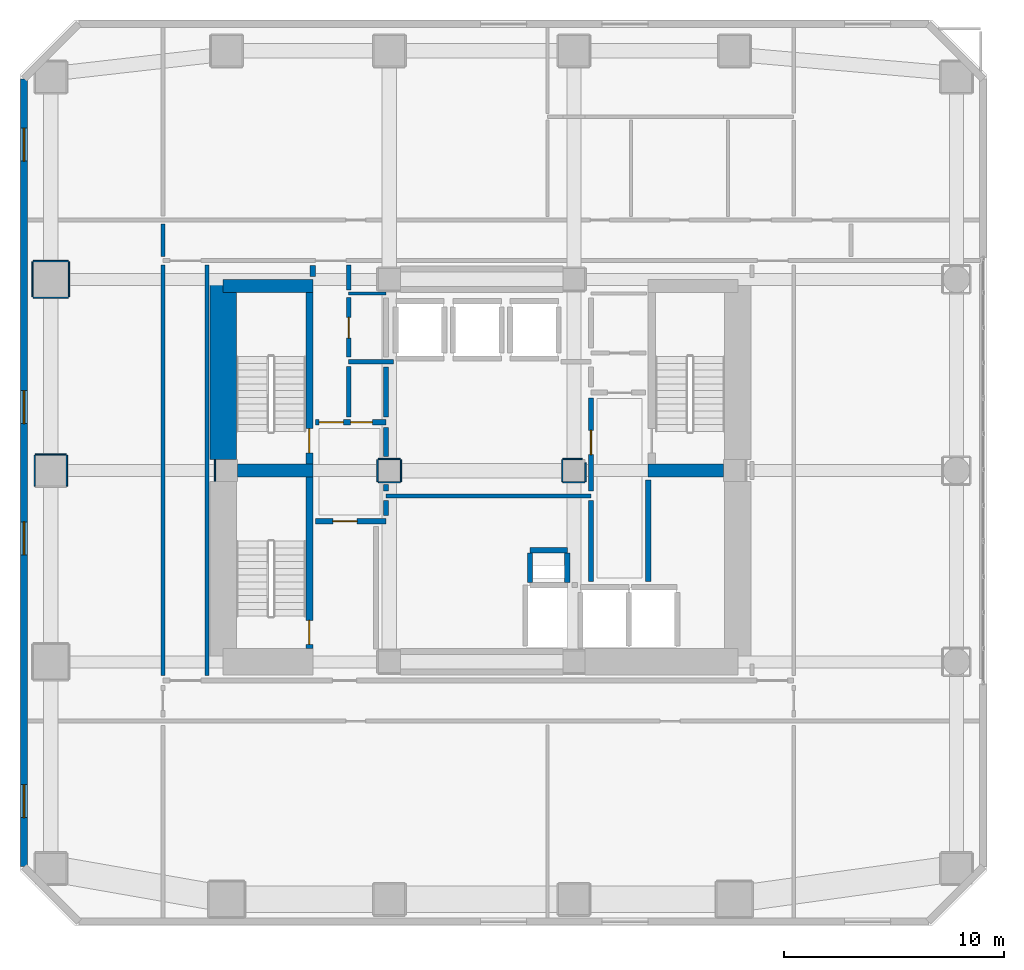
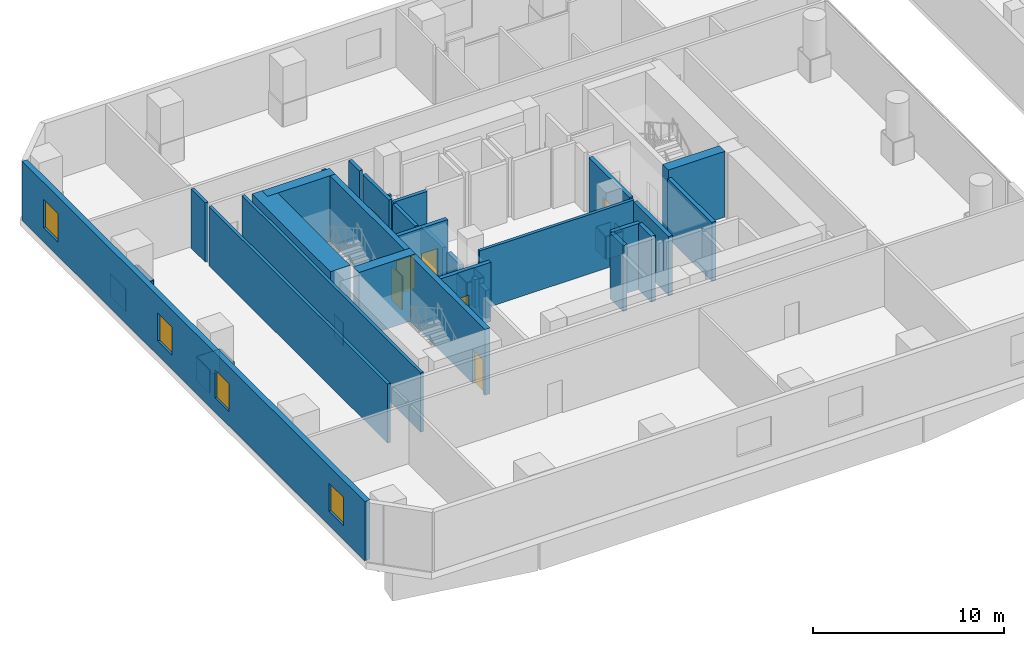
# One storey, part 19 of 25: 45 walls, 7 doors, 4 windows, 11 openings.
"""IFC4 building model written with IfcOpenShell, lengths in metres."""

from ifc_helpers import new_model, si_unit, direction, frame, frame_2d, origin, place, context, subcontext, project, spatial, rectangle, extrude, material, layer, layer_set, type_object, element, fill, save


model = new_model("IFC4")

# Units and contexts
model_context = context("Model", 3, precision=1e-05, world=origin(), true_north=direction((0.0, 1.0)))
body_context = subcontext(model_context, "Body", "Model", "MODEL_VIEW")
ifc_project = project(units=[si_unit("LENGTHUNIT", "METRE"), si_unit("AREAUNIT", "SQUARE_METRE"), si_unit("VOLUMEUNIT", "CUBIC_METRE"), si_unit("PLANEANGLEUNIT", "RADIAN"), si_unit("MASSUNIT", "GRAM", prefix="KILO")], contexts=[model_context])

# Site, building, storey
site_placement = place(None, origin())
site = spatial("IfcSite", under=ifc_project, at=site_placement, CompositionType="ELEMENT")
building_placement = place(site_placement, origin())
building = spatial("IfcBuilding", under=site, at=building_placement, Name="Solanera Arch Residences", CompositionType="ELEMENT")
storey_placement = place(building_placement, frame((0.0, 0.0, 17.800048828125)))
storey = spatial("IfcBuildingStorey", under=building, at=storey_placement, Name="L04", CompositionType="ELEMENT", Elevation=17.800048828125)

# Walls
ifc_material_1 = material(Name="Fire-Rated Gypsum Stud Partition", Category="gypsum")
ifc_layer_1 = layer(ifc_material_1, 0.06005859375)
ifc_layer_set_1 = layer_set([ifc_layer_1], Name="Fire-Rated Gypsum Stud Partition")
wall_type_1 = type_object("IfcWallType", Name="Column Acoustic Furring Wall 60", PredefinedType="PARTITIONING", material=ifc_layer_set_1)
wall_1_placement = place(storey_placement, frame((12.867919921875, 30.2099609375, 0.0), z_axis=(0.0, 0.0, 1.0), x_axis=(0.0, 1.0, 0.0)))
element("IfcWall", 1, at=wall_1_placement, inside=storey, type_object=wall_type_1, Name="L04 Column Furring 5W", PredefinedType="PARTITIONING", context=body_context, shape_type="SweptSolid", body=[
    extrude(rectangle(XDim=0.97998046875, YDim=0.06005859375, at=frame_2d((0.489990234375, 0.0))), origin(), (0.0, 0.0, 1.0), 1.449951171875),
])
for number, where, z_axis, x_axis, name in (
    (2, (20.300048828125, 30.16796875, 0.0), (0.0, 0.0, 1.0), (1.0, 0.0, 0.0), "L04 Column Furring 7S"),
    (3, (20.300048828125, 31.23193359375, 0.0), (0.0, 0.0, 1.0), (1.0, 0.0, 0.0), "L04 Column Furring 7N"),
    (4, (20.26806640625, 30.199951171875, 0.0), (0.0, 0.0, 1.0), (0.0, 1.0, 0.0), "L04 Column Furring 7W"),
    (5, (21.33203125, 30.199951171875, 0.0), (0.0, 0.0, 1.0), (0.0, 1.0, 0.0), "L04 Column Furring 7E"),
    (6, (28.699951171875, 30.16796875, 0.0), (0.0, 0.0, 1.0), (1.0, 0.0, 0.0), "L04 Column Furring 8S"),
):
    element("IfcWall", number, at=place(storey_placement, frame(where, z_axis=z_axis, x_axis=x_axis)), inside=storey, type_object=wall_type_1, Name=name, PredefinedType="PARTITIONING", context=body_context, shape_type="SweptSolid", body=[
        extrude(rectangle(XDim=1.0, YDim=0.06005859375, at=frame_2d((0.5, 0.0))), origin(), (0.0, 0.0, 1.0), 1.449951171875),
    ])
wall_2_placement = place(storey_placement, frame((28.699951171875, 31.23193359375, 0.0), z_axis=(0.0, 0.0, 1.0), x_axis=(1.0, 0.0, 0.0)))
element("IfcWall", 7, at=wall_2_placement, inside=storey, type_object=wall_type_1, Name="L04 Column Furring 8N", PredefinedType="PARTITIONING", context=body_context, shape_type="SweptSolid", body=[
    extrude(rectangle(XDim=0.87109375, YDim=0.06005859375, at=frame_2d((0.435546875, 0.0))), origin(), (0.0, 0.0, 1.0), 1.449951171875),
])
wall_3_placement = place(storey_placement, frame((28.66796875, 30.199951171875, 0.0), z_axis=(0.0, 0.0, 1.0), x_axis=(0.0, 1.0, 0.0)))
element("IfcWall", 8, at=wall_3_placement, inside=storey, type_object=wall_type_1, Name="L04 Column Furring 8W", PredefinedType="PARTITIONING", context=body_context, shape_type="SweptSolid", body=[
    extrude(rectangle(XDim=1.0, YDim=0.06005859375, at=frame_2d((0.5, 0.0))), origin(), (0.0, 0.0, 1.0), 1.449951171875),
])
wall_4_placement = place(storey_placement, frame((29.73193359375, 30.199951171875, 0.0), z_axis=(0.0, 0.0, 1.0), x_axis=(0.0, 1.0, 0.0)))
element("IfcWall", 9, at=wall_4_placement, inside=storey, type_object=wall_type_1, Name="L04 Column Furring 8E", PredefinedType="PARTITIONING", context=body_context, shape_type="SweptSolid", body=[
    extrude(rectangle(XDim=0.85205078125, YDim=0.06005859375, at=frame_2d((0.426025390625, 0.0))), origin(), (0.0, 0.0, 1.0), 1.449951171875),
])
wall_5_placement = place(storey_placement, frame((4.699951171875, 31.431884765625, 0.0), z_axis=(0.0, 0.0, 1.0), x_axis=(1.0, 0.0, 0.0)))
element("IfcWall", 10, at=wall_5_placement, inside=storey, type_object=wall_type_1, Name="L04 Column Furring 16N", PredefinedType="PARTITIONING", context=body_context, shape_type="SweptSolid", body=[
    extrude(rectangle(XDim=1.400146484375, YDim=0.06005859375, at=frame_2d((0.7001953125, 0.0))), origin(), (0.0, 0.0, 1.0), 1.449951171875),
])
for number, where, z_axis, x_axis, name in (
    (11, (4.66796875, 30.0, 0.0), (0.0, 0.0, 1.0), (0.0, 1.0, 0.0), "L04 Column Furring 16W"),
    (12, (6.132080078125, 30.0, 0.0), (0.0, 0.0, 1.0), (0.0, 1.0, 0.0), "L04 Column Furring 16E"),
):
    element("IfcWall", number, at=place(storey_placement, frame(where, z_axis=z_axis, x_axis=x_axis)), inside=storey, type_object=wall_type_1, Name=name, PredefinedType="PARTITIONING", context=body_context, shape_type="SweptSolid", body=[
        extrude(rectangle(XDim=1.39990234375, YDim=0.06005859375, at=frame_2d((0.699951171875, 0.0))), origin(), (0.0, 0.0, 1.0), 1.449951171875),
    ])
for number, where, z_axis, x_axis, name in (
    (13, (4.60009765625, 38.568115234375, 0.0), (0.0, 0.0, 1.0), (1.0, 0.0, 0.0), "L04 Column Furring 17S"),
    (14, (4.60009765625, 40.23193359375, 0.0), (0.0, 0.0, 1.0), (1.0, 0.0, 0.0), "L04 Column Furring 17N"),
    (15, (4.568115234375, 38.60009765625, 0.0), (0.0, 0.0, 1.0), (0.0, 1.0, 0.0), "L04 Column Furring 17W"),
    (16, (6.23193359375, 38.60009765625, 0.0), (0.0, 0.0, 1.0), (0.0, 1.0, 0.0), "L04 Column Furring 17E"),
):
    element("IfcWall", number, at=place(storey_placement, frame(where, z_axis=z_axis, x_axis=x_axis)), inside=storey, type_object=wall_type_1, Name=name, PredefinedType="PARTITIONING", context=body_context, shape_type="SweptSolid", body=[
        extrude(rectangle(XDim=1.599853515625, YDim=0.06005859375, at=frame_2d((0.7998046875, 0.0))), origin(), (0.0, 0.0, 1.0), 1.449951171875),
    ])
ifc_material_2 = material(Name="Concrete C55/67 (f'c = 60 MPa)", Category="concrete")
ifc_layer_2 = layer(ifc_material_2, 1.199951171875)
ifc_layer_set_2 = layer_set([ifc_layer_2], Name="Concrete C55/67 (f'c = 60 MPa)")
wall_type_2 = type_object("IfcWallType", Name="Core Shear Wall CW-1200", PredefinedType="SHEAR", material=ifc_layer_set_2)
wall_6_placement = place(storey_placement, frame((13.239990234375, 31.205078125, 0.0), z_axis=(0.0, 0.0, 1.0), x_axis=(0.0, 1.0, 0.0)))
element("IfcWall", 17, at=wall_6_placement, inside=storey, type_object=wall_type_2, Name="L04 West Core North Shear Wall", PredefinedType="SHEAR", context=body_context, shape_type="SweptSolid", body=[
    extrude(rectangle(XDim=8.19482421875, YDim=1.199951171875, at=frame_2d((4.097412109375, 0.0))), origin(), (0.0, 0.0, 1.0), 4.199951171875),
])

# Wall, opening, door
ifc_material_3 = material(Name="Concrete C40/50 (f'c = 45 MPa)", Category="concrete")
ifc_layer_3 = layer(ifc_material_3, 0.320068359375)
ifc_layer_set_3 = layer_set([ifc_layer_3], Name="Concrete C40/50 (f'c = 45 MPa)")
wall_type_3 = type_object("IfcWallType", Name="Core Shear Wall CW-320", PredefinedType="SHEAR", material=ifc_layer_set_3)
wall_7_placement = place(storey_placement, frame((17.159912109375, 31.0, 0.0), z_axis=(0.0, 0.0, 1.0), x_axis=(0.0, 1.0, 0.0)))
wall_7 = element("IfcWall", 18, at=wall_7_placement, inside=storey, type_object=wall_type_3, Name="L04 Stair ST-T1 East Shear Wall", PredefinedType="SHEAR", context=body_context, shape_type="SweptSolid", body=[
    extrude(rectangle(XDim=7.800048828125, YDim=0.320068359375, at=frame_2d((3.89990234375, 0.0))), origin(), (0.0, 0.0, 1.0), 4.199951171875),
])
opening_1_placement = place(wall_7_placement, frame((0.510009765625, 0.0, 0.0)))
opening_1 = element("IfcOpeningElement", 19, at=opening_1_placement, cuts=wall_7, Name="Opening DF-01", PredefinedType="OPENING", context=body_context, shape_type="SweptSolid", body=[
    extrude(rectangle(XDim=1.10009765625, YDim=2.14990234375, at=frame_2d((0.550048828125, 1.074951171875))), frame((0.0, 0.169921875, 0.0), z_axis=(0.0, -1.0, 0.0), x_axis=(1.0, 0.0, 0.0)), (0.0, 0.0, 1.0), 0.3401),
])
ifc_material_4 = material(Name="Fire-Rated Architectural Hardwood", Category="wood")
door_type_1 = type_object("IfcDoorType", Name="Stair Exit Fire Door DF-01", OperationType="NOTDEFINED", PredefinedType="DOOR", material=ifc_material_4)
door_1_placement = place(opening_1_placement, origin())
door_1 = element("IfcDoor", 20, at=door_1_placement, inside=storey, type_object=door_type_1, Name="DR-L04-STAIR-ST-T1", OperationType="SINGLE_SWING_RIGHT", OverallHeight=2.14990234375, OverallWidth=1.10009765625, PredefinedType="DOOR", context=body_context, shape_type="SweptSolid", body=[
    extrude(rectangle(XDim=1.10009765625, YDim=2.14990234375, at=frame_2d((0.550048828125, 1.074951171875))), frame((0.0, 0.02490234375, 0.0), z_axis=(0.0, -1.0, 0.0), x_axis=(1.0, 0.0, 0.0)), (0.0, 0.0, 1.0), 0.050048828125),
])
fill(opening_1, door_1)

wall_8_placement = place(storey_placement, frame((17.159912109375, 22.60009765625, 0.0), z_axis=(0.0, 0.0, 1.0), x_axis=(0.0, 1.0, 0.0)))
wall_8 = element("IfcWall", 21, at=wall_8_placement, inside=storey, type_object=wall_type_3, Name="L04 Stair ST-T3 East Shear Wall", PredefinedType="SHEAR", context=body_context, shape_type="SweptSolid", body=[
    extrude(rectangle(XDim=7.7998046875, YDim=0.320068359375, at=frame_2d((3.89990234375, 0.0))), origin(), (0.0, 0.0, 1.0), 4.199951171875),
])
opening_2_placement = place(wall_8_placement, frame((0.18994140625, 0.0, 0.0)))
opening_2 = element("IfcOpeningElement", 22, at=opening_2_placement, cuts=wall_8, Name="Opening DF-01", PredefinedType="OPENING", context=body_context, shape_type="SweptSolid", body=[
    extrude(rectangle(XDim=1.10009765625, YDim=2.14990234375, at=frame_2d((0.550048828125, 1.074951171875))), frame((0.0, 0.169921875, 0.0), z_axis=(0.0, -1.0, 0.0), x_axis=(1.0, 0.0, 0.0)), (0.0, 0.0, 1.0), 0.3401),
])
door_2_placement = place(opening_2_placement, origin())
door_2 = element("IfcDoor", 23, at=door_2_placement, inside=storey, type_object=door_type_1, Name="DR-L04-STAIR-ST-T3", OperationType="SINGLE_SWING_RIGHT", OverallHeight=2.14990234375, OverallWidth=1.10009765625, PredefinedType="DOOR", context=body_context, shape_type="SweptSolid", body=[
    extrude(rectangle(XDim=1.10009765625, YDim=2.14990234375, at=frame_2d((0.550048828125, 1.074951171875))), frame((0.0, 0.02490234375, 0.0), z_axis=(0.0, -1.0, 0.0), x_axis=(1.0, 0.0, 0.0)), (0.0, 0.0, 1.0), 0.050048828125),
])
fill(opening_2, door_2)

# Walls
ifc_material_5 = material(Name="Concrete C40/50 (f'c = 45 MPa)", Category="concrete")
ifc_layer_4 = layer(ifc_material_5, 0.60009765625)
ifc_layer_set_4 = layer_set([ifc_layer_4], Name="Concrete C40/50 (f'c = 45 MPa)")
wall_type_4 = type_object("IfcWallType", Name="Core Shear Wall CW-600", PredefinedType="SHEAR", material=ifc_layer_set_4)
wall_9_placement = place(storey_placement, frame((13.239990234375, 39.10009765625, 0.0), z_axis=(0.0, 0.0, 1.0), x_axis=(1.0, 0.0, 0.0)))
element("IfcWall", 24, at=wall_9_placement, inside=storey, type_object=wall_type_4, Name="L04 North-West Core Shear Wall", PredefinedType="SHEAR", context=body_context, shape_type="SweptSolid", body=[
    extrude(rectangle(XDim=4.080078125, YDim=0.60009765625, at=frame_2d((2.0400390625, 0.0))), origin(), (0.0, 0.0, 1.0), 4.199951171875),
])
for number, where, z_axis, x_axis, name in (
    (25, (13.905029296875, 30.699951171875, 0.0), (0.0, 0.0, 1.0), (1.0, 0.0, 0.0), "L04 West Stair Divider Shear Wall"),
    (26, (32.580078125, 30.699951171875, 0.0), (0.0, 0.0, 1.0), (1.0, 0.0, 0.0), "L04 East Stair Far-Landing Shear Wall"),
):
    element("IfcWall", number, at=place(storey_placement, frame(where, z_axis=z_axis, x_axis=x_axis)), inside=storey, type_object=wall_type_4, Name=name, PredefinedType="SHEAR", context=body_context, shape_type="SweptSolid", body=[
        extrude(rectangle(XDim=3.4150390625, YDim=0.60009765625, at=frame_2d((1.70751953125, 0.0))), origin(), (0.0, 0.0, 1.0), 4.199951171875),
    ])
ifc_material_6 = material(Name="Autoclaved Aerated Concrete Blockwork", Category="masonry")
ifc_layer_5 = layer(ifc_material_6, 0.179931640625)
ifc_layer_set_5 = layer_set([ifc_layer_5], Name="Autoclaved Aerated Concrete Blockwork")
wall_type_5 = type_object("IfcWallType", Name="Corridor Fire Partition 180", PredefinedType="PARTITIONING", material=ifc_layer_set_5)
wall_10_placement = place(storey_placement, frame((20.64990234375, 29.550048828125, 0.0), z_axis=(0.0, 0.0, 1.0), x_axis=(1.0, 0.0, 0.0)))
element("IfcWall", 27, at=wall_10_placement, inside=storey, type_object=wall_type_5, Name="L04 Interior Partition H13", PredefinedType="PARTITIONING", context=body_context, shape_type="SweptSolid", body=[
    extrude(rectangle(XDim=9.3251953125, YDim=0.179931640625, at=frame_2d((4.66259765625, 0.0))), origin(), (0.0, 0.0, 1.0), 3.780029296875),
])
wall_11_placement = place(storey_placement, frame((10.5, 21.367919921875, 0.0), z_axis=(0.0, 0.0, 1.0), x_axis=(0.0, 1.0, 0.0)))
element("IfcWall", 28, at=wall_11_placement, inside=storey, type_object=wall_type_5, Name="L04 Interior Partition V10 3", PredefinedType="PARTITIONING", context=body_context, shape_type="SweptSolid", body=[
    extrude(rectangle(XDim=18.694091796875, YDim=0.179931640625, at=frame_2d((9.34716796875, 0.0))), origin(), (0.0, 0.0, 1.0), 3.780029296875),
])
wall_12_placement = place(storey_placement, frame((10.5, 40.43798828125, 0.0), z_axis=(0.0, 0.0, 1.0), x_axis=(0.0, 1.0, 0.0)))
element("IfcWall", 29, at=wall_12_placement, inside=storey, type_object=wall_type_5, Name="L04 Interior Partition V10 4", PredefinedType="PARTITIONING", context=body_context, shape_type="SweptSolid", body=[
    extrude(rectangle(XDim=1.47412109375, YDim=0.179931640625, at=frame_2d((0.737060546875, 0.0))), origin(), (0.0, 0.0, 1.0), 3.780029296875),
])
wall_13_placement = place(storey_placement, frame((12.5, 21.367919921875, 0.0), z_axis=(0.0, 0.0, 1.0), x_axis=(0.0, 1.0, 0.0)))
element("IfcWall", 30, at=wall_13_placement, inside=storey, type_object=wall_type_5, Name="L04 Interior Partition V11", PredefinedType="PARTITIONING", context=body_context, shape_type="SweptSolid", body=[
    extrude(rectangle(XDim=18.694091796875, YDim=0.179931640625, at=frame_2d((9.34716796875, 0.0))), origin(), (0.0, 0.0, 1.0), 3.780029296875),
])

# Wall, openings, windows
ifc_material_7 = material(Name="Precast Concrete C35/45", Category="concrete")
ifc_layer_6 = layer(ifc_material_7, 0.320068359375)
ifc_layer_set_6 = layer_set([ifc_layer_6], Name="Precast Concrete C35/45")
wall_type_6 = type_object("IfcWallType", Name="Exterior Wall Precast Masonry-Frame 320", PredefinedType="STANDARD", material=ifc_layer_set_6)
wall_14_placement = place(storey_placement, frame((4.179931640625, 12.679931640625, 0.0), z_axis=(0.0, 0.0, 1.0), x_axis=(0.0, 1.0, 0.0)))
wall_14 = element("IfcWall", 31, at=wall_14_placement, inside=storey, type_object=wall_type_6, Name="L04 Podium Precast Masonry-Frame Wall 1", PredefinedType="STANDARD", context=body_context, shape_type="SweptSolid", body=[
    extrude(rectangle(XDim=35.840087890625, YDim=0.320068359375, at=frame_2d((17.919921875, 0.0))), origin(), (0.0, 0.0, 1.0), 3.780029296875),
])
opening_3_placement = place(wall_14_placement, frame((2.237060546875, 0.0, 0.89990234375)))
opening_3 = element("IfcOpeningElement", 32, at=opening_3_placement, cuts=wall_14, Name="Opening W-02", PredefinedType="OPENING", context=body_context, shape_type="SweptSolid", body=[
    extrude(rectangle(XDim=1.5, YDim=1.800048828125, at=frame_2d((0.75, 0.89990234375))), frame((0.0, 0.169921875, 0.0), z_axis=(0.0, -1.0, 0.0), x_axis=(1.0, 0.0, 0.0)), (0.0, 0.0, 1.0), 0.3401),
])
opening_4_placement = place(wall_14_placement, frame((14.18310546875, 0.0, 0.89990234375)))
opening_4 = element("IfcOpeningElement", 33, at=opening_4_placement, cuts=wall_14, Name="Opening W-02", PredefinedType="OPENING", context=body_context, shape_type="SweptSolid", body=[
    extrude(rectangle(XDim=1.5, YDim=1.800048828125, at=frame_2d((0.75, 0.89990234375))), frame((0.0, 0.169921875, 0.0), z_axis=(0.0, -1.0, 0.0), x_axis=(1.0, 0.0, 0.0)), (0.0, 0.0, 1.0), 0.3401),
])
opening_5_placement = place(wall_14_placement, frame((20.156982421875, 0.0, 0.89990234375)))
opening_5 = element("IfcOpeningElement", 34, at=opening_5_placement, cuts=wall_14, Name="Opening W-02", PredefinedType="OPENING", context=body_context, shape_type="SweptSolid", body=[
    extrude(rectangle(XDim=1.5, YDim=1.800048828125, at=frame_2d((0.75, 0.89990234375))), frame((0.0, 0.169921875, 0.0), z_axis=(0.0, -1.0, 0.0), x_axis=(1.0, 0.0, 0.0)), (0.0, 0.0, 1.0), 0.3401),
])
opening_6_placement = place(wall_14_placement, frame((32.10302734375, 0.0, 0.89990234375)))
opening_6 = element("IfcOpeningElement", 35, at=opening_6_placement, cuts=wall_14, Name="Opening W-02", PredefinedType="OPENING", context=body_context, shape_type="SweptSolid", body=[
    extrude(rectangle(XDim=1.5, YDim=1.800048828125, at=frame_2d((0.75, 0.89990234375))), frame((0.0, 0.169921875, 0.0), z_axis=(0.0, -1.0, 0.0), x_axis=(1.0, 0.0, 0.0)), (0.0, 0.0, 1.0), 0.3401),
])
ifc_material_8 = material(Name="Double Glazed Low-E Laminated Glass", Category="glass")
window_type = type_object("IfcWindowType", Name="Punched Window W-02", PartitioningType="DOUBLE_PANEL_VERTICAL", PredefinedType="WINDOW", material=ifc_material_8)
window_1_placement = place(opening_3_placement, origin())
window_1 = element("IfcWindow", 36, at=window_1_placement, inside=storey, type_object=window_type, Name="L04 Podium Window 1.1", OverallHeight=1.800048828125, OverallWidth=1.5, PartitioningType="SINGLE_PANEL", PredefinedType="WINDOW", context=body_context, shape_type="SweptSolid", body=[
    extrude(rectangle(XDim=1.5, YDim=1.800048828125, at=frame_2d((0.75, 0.89990234375))), frame((0.0, 0.030029296875, 0.0), z_axis=(0.0, -1.0, 0.0), x_axis=(1.0, 0.0, 0.0)), (0.0, 0.0, 1.0), 0.06005859375),
])
fill(opening_3, window_1)
window_2_placement = place(opening_4_placement, origin())
window_2 = element("IfcWindow", 37, at=window_2_placement, inside=storey, type_object=window_type, Name="L04 Podium Window 1.3", OverallHeight=1.800048828125, OverallWidth=1.5, PartitioningType="SINGLE_PANEL", PredefinedType="WINDOW", context=body_context, shape_type="SweptSolid", body=[
    extrude(rectangle(XDim=1.5, YDim=1.800048828125, at=frame_2d((0.75, 0.89990234375))), frame((0.0, 0.030029296875, 0.0), z_axis=(0.0, -1.0, 0.0), x_axis=(1.0, 0.0, 0.0)), (0.0, 0.0, 1.0), 0.06005859375),
])
fill(opening_4, window_2)
window_3_placement = place(opening_5_placement, origin())
window_3 = element("IfcWindow", 38, at=window_3_placement, inside=storey, type_object=window_type, Name="L04 Podium Window 1.4", OverallHeight=1.800048828125, OverallWidth=1.5, PartitioningType="SINGLE_PANEL", PredefinedType="WINDOW", context=body_context, shape_type="SweptSolid", body=[
    extrude(rectangle(XDim=1.5, YDim=1.800048828125, at=frame_2d((0.75, 0.89990234375))), frame((0.0, 0.030029296875, 0.0), z_axis=(0.0, -1.0, 0.0), x_axis=(1.0, 0.0, 0.0)), (0.0, 0.0, 1.0), 0.06005859375),
])
fill(opening_5, window_3)
window_4_placement = place(opening_6_placement, origin())
window_4 = element("IfcWindow", 39, at=window_4_placement, inside=storey, type_object=window_type, Name="L04 Podium Window 1.6", OverallHeight=1.800048828125, OverallWidth=1.5, PartitioningType="SINGLE_PANEL", PredefinedType="WINDOW", context=body_context, shape_type="SweptSolid", body=[
    extrude(rectangle(XDim=1.5, YDim=1.800048828125, at=frame_2d((0.75, 0.89990234375))), frame((0.0, 0.030029296875, 0.0), z_axis=(0.0, -1.0, 0.0), x_axis=(1.0, 0.0, 0.0)), (0.0, 0.0, 1.0), 0.06005859375),
])
fill(opening_6, window_4)

# Walls
ifc_material_9 = material(Name="Autoclaved Aerated Concrete Blockwork", Category="masonry")
ifc_layer_7 = layer(ifc_material_9, 0.199951171875)
ifc_layer_set_7 = layer_set([ifc_layer_7], Name="Autoclaved Aerated Concrete Blockwork")
wall_type_7 = type_object("IfcWallType", Name="Party Wall Acoustic 200", PredefinedType="PARTITIONING", material=ifc_layer_set_7)
wall_15_placement = place(storey_placement, frame((18.949951171875, 35.64990234375, 0.0), z_axis=(0.0, 0.0, 1.0), x_axis=(1.0, 0.0, 0.0)))
element("IfcWall", 40, at=wall_15_placement, inside=storey, type_object=wall_type_7, Name="L04 Interior Partition H6 1", PredefinedType="PARTITIONING", context=body_context, shape_type="SweptSolid", body=[
    extrude(rectangle(XDim=2.046142578125, YDim=0.199951171875, at=frame_2d((1.02294921875, 0.0))), origin(), (0.0, 0.0, 1.0), 3.780029296875),
])
wall_16_placement = place(storey_placement, frame((18.949951171875, 33.1279296875, 0.0), z_axis=(0.0, 0.0, 1.0), x_axis=(0.0, 1.0, 0.0)))
element("IfcWall", 41, at=wall_16_placement, inside=storey, type_object=wall_type_7, Name="L04 Interior Partition V6 1", PredefinedType="PARTITIONING", context=body_context, shape_type="SweptSolid", body=[
    extrude(rectangle(XDim=2.31396484375, YDim=0.199951171875, at=frame_2d((1.156982421875, 0.0))), origin(), (0.0, 0.0, 1.0), 3.780029296875),
])

# Wall, opening, door
wall_17_placement = place(storey_placement, frame((18.949951171875, 35.85791015625, 0.0), z_axis=(0.0, 0.0, 1.0), x_axis=(0.0, 1.0, 0.0)))
wall_17 = element("IfcWall", 42, at=wall_17_placement, inside=storey, type_object=wall_type_7, Name="L04 Interior Partition V6 2", PredefinedType="PARTITIONING", context=body_context, shape_type="SweptSolid", body=[
    extrude(rectangle(XDim=2.714111328125, YDim=0.199951171875, at=frame_2d((1.35693359375, 0.0))), origin(), (0.0, 0.0, 1.0), 3.780029296875),
])
opening_7_placement = place(wall_17_placement, frame((0.866943359375, 0.0, 0.0)))
opening_7 = element("IfcOpeningElement", 43, at=opening_7_placement, cuts=wall_17, Name="Opening DI-04", PredefinedType="OPENING", context=body_context, shape_type="SweptSolid", body=[
    extrude(rectangle(XDim=0.949951171875, YDim=2.10009765625, at=frame_2d((0.47509765625, 1.050048828125))), frame((0.0, 0.110107421875, 0.0), z_axis=(0.0, -1.0, 0.0), x_axis=(1.0, 0.0, 0.0)), (0.0, 0.0, 1.0), 0.22),
])
ifc_material_10 = material(Name="Fire-Rated Architectural Hardwood", Category="wood")
door_type_2 = type_object("IfcDoorType", Name="Accessible Restroom Door DI-04", OperationType="NOTDEFINED", PredefinedType="DOOR", material=ifc_material_10)
door_3_placement = place(opening_7_placement, origin())
door_3 = element("IfcDoor", 44, at=door_3_placement, inside=storey, type_object=door_type_2, Name="DR-L04-IN-025", OperationType="SINGLE_SWING_RIGHT", OverallHeight=2.10009765625, OverallWidth=0.949951171875, PredefinedType="DOOR", context=body_context, shape_type="SweptSolid", body=[
    extrude(rectangle(XDim=0.949951171875, YDim=2.10009765625, at=frame_2d((0.47509765625, 1.050048828125))), frame((0.0, 0.02490234375, 0.0), z_axis=(0.0, -1.0, 0.0), x_axis=(1.0, 0.0, 0.0)), (0.0, 0.0, 1.0), 0.050048828125),
])
fill(opening_7, door_3)

# Walls
wall_18_placement = place(storey_placement, frame((18.949951171875, 38.927978515625, 0.0), z_axis=(0.0, 0.0, 1.0), x_axis=(0.0, 1.0, 0.0)))
element("IfcWall", 45, at=wall_18_placement, inside=storey, type_object=wall_type_7, Name="L04 Interior Partition V6 3", PredefinedType="PARTITIONING", context=body_context, shape_type="SweptSolid", body=[
    extrude(rectangle(XDim=1.1240234375, YDim=0.199951171875, at=frame_2d((0.56201171875, 0.0))), origin(), (0.0, 0.0, 1.0), 3.780029296875),
])
ifc_material_11 = material(Name="Concrete C40/50 (f'c = 45 MPa)", Category="concrete")
ifc_layer_8 = layer(ifc_material_11, 0.239990234375)
ifc_layer_set_8 = layer_set([ifc_layer_8], Name="Concrete C40/50 (f'c = 45 MPa)")
wall_type_8 = type_object("IfcWallType", Name="Ramp Bearing Shear Wall RW-240", PredefinedType="SHEAR", material=ifc_layer_set_8)
wall_19_placement = place(storey_placement, frame((27.199951171875, 27.080078125, 0.0), z_axis=(0.0, 0.0, 1.0), x_axis=(1.0, 0.0, 0.0)))
element("IfcWall", 46, at=wall_19_placement, inside=storey, type_object=wall_type_8, Name="L04 Core MEP Riser North Shaft Wall", PredefinedType="SHEAR", context=body_context, shape_type="SweptSolid", body=[
    extrude(rectangle(XDim=1.699951171875, YDim=0.239990234375, at=frame_2d((0.85009765625, 0.0))), origin(), (0.0, 0.0, 1.0), 4.199951171875),
])
for number, where, z_axis, x_axis, name in (
    (47, (27.199951171875, 25.60009765625, 0.0), (0.0, 0.0, 1.0), (0.0, 1.0, 0.0), "L04 Core MEP Riser West Shaft Wall"),
    (48, (28.89990234375, 25.60009765625, 0.0), (0.0, 0.0, 1.0), (0.0, 1.0, 0.0), "L04 Core MEP Riser East Shaft Wall"),
):
    element("IfcWall", number, at=place(storey_placement, frame(where, z_axis=z_axis, x_axis=x_axis)), inside=storey, type_object=wall_type_8, Name=name, PredefinedType="SHEAR", context=body_context, shape_type="SweptSolid", body=[
        extrude(rectangle(XDim=1.35986328125, YDim=0.239990234375, at=frame_2d((0.679931640625, 0.0))), origin(), (0.0, 0.0, 1.0), 4.199951171875),
    ])

# Wall, opening, door
ifc_material_12 = material(Name="Autoclaved Aerated Concrete Blockwork", Category="masonry")
ifc_layer_9 = layer(ifc_material_12, 0.239990234375)
ifc_layer_set_9 = layer_set([ifc_layer_9], Name="Autoclaved Aerated Concrete Blockwork")
wall_type_9 = type_object("IfcWallType", Name="Shaft Wall Fire-Rated 240", PredefinedType="PARTITIONING", material=ifc_layer_set_9)
wall_20_placement = place(storey_placement, frame((17.449951171875, 28.39990234375, 0.0), z_axis=(0.0, 0.0, 1.0), x_axis=(1.0, 0.0, 0.0)))
wall_20 = element("IfcWall", 49, at=wall_20_placement, inside=storey, type_object=wall_type_9, Name="L04 Interior Partition H3", PredefinedType="PARTITIONING", context=body_context, shape_type="SweptSolid", body=[
    extrude(rectangle(XDim=3.199951171875, YDim=0.239990234375, at=frame_2d((1.60009765625, 0.0))), origin(), (0.0, 0.0, 1.0), 3.780029296875),
])
opening_8_placement = place(wall_20_placement, frame((0.783935546875, 0.0, 0.0)))
opening_8 = element("IfcOpeningElement", 50, at=opening_8_placement, cuts=wall_20, Name="Opening DF-02", PredefinedType="OPENING", context=body_context, shape_type="SweptSolid", body=[
    extrude(rectangle(XDim=1.10009765625, YDim=2.14990234375, at=frame_2d((0.550048828125, 1.074951171875))), frame((0.0, 0.1298828125, 0.0), z_axis=(0.0, -1.0, 0.0), x_axis=(1.0, 0.0, 0.0)), (0.0, 0.0, 1.0), 0.26),
])
ifc_material_13 = material(Name="Fire-Rated Architectural Hardwood", Category="wood")
door_type_3 = type_object("IfcDoorType", Name="Firefighting Lobby Fire Door DF-02", OperationType="NOTDEFINED", PredefinedType="DOOR", material=ifc_material_13)
door_4_placement = place(opening_8_placement, origin())
door_4 = element("IfcDoor", 51, at=door_4_placement, inside=storey, type_object=door_type_3, Name="DR-L04-IN-008", OperationType="SINGLE_SWING_LEFT", OverallHeight=2.14990234375, OverallWidth=1.10009765625, PredefinedType="DOOR", context=body_context, shape_type="SweptSolid", body=[
    extrude(rectangle(XDim=1.10009765625, YDim=2.14990234375, at=frame_2d((0.550048828125, 1.074951171875))), frame((0.0, 0.02490234375, 0.0), z_axis=(0.0, -1.0, 0.0), x_axis=(1.0, 0.0, 0.0)), (0.0, 0.0, 1.0), 0.050048828125),
])
fill(opening_8, door_4)

# Wall, openings, doors
wall_21_placement = place(storey_placement, frame((17.449951171875, 32.89990234375, 0.0), z_axis=(0.0, 0.0, 1.0), x_axis=(1.0, 0.0, 0.0)))
wall_21 = element("IfcWall", 52, at=wall_21_placement, inside=storey, type_object=wall_type_9, Name="L04 Interior Partition H4", PredefinedType="PARTITIONING", context=body_context, shape_type="SweptSolid", body=[
    extrude(rectangle(XDim=3.199951171875, YDim=0.239990234375, at=frame_2d((1.60009765625, 0.0))), origin(), (0.0, 0.0, 1.0), 3.780029296875),
])
opening_9_placement = place(wall_21_placement, frame((0.158935546875, 0.0, 0.0)))
opening_9 = element("IfcOpeningElement", 53, at=opening_9_placement, cuts=wall_21, Name="Opening DF-02", PredefinedType="OPENING", context=body_context, shape_type="SweptSolid", body=[
    extrude(rectangle(XDim=1.10009765625, YDim=2.14990234375, at=frame_2d((0.550048828125, 1.074951171875))), frame((0.0, 0.1298828125, 0.0), z_axis=(0.0, -1.0, 0.0), x_axis=(1.0, 0.0, 0.0)), (0.0, 0.0, 1.0), 0.26),
])
opening_10_placement = place(wall_21_placement, frame((1.5859375, 0.0, 0.0)))
opening_10 = element("IfcOpeningElement", 54, at=opening_10_placement, cuts=wall_21, Name="Opening DI-01", PredefinedType="OPENING", context=body_context, shape_type="SweptSolid", body=[
    extrude(rectangle(XDim=1.0, YDim=2.14990234375, at=frame_2d((0.5, 1.074951171875))), frame((0.0, 0.1298828125, 0.0), z_axis=(0.0, -1.0, 0.0), x_axis=(1.0, 0.0, 0.0)), (0.0, 0.0, 1.0), 0.26),
])
door_5_placement = place(opening_9_placement, origin())
door_5 = element("IfcDoor", 55, at=door_5_placement, inside=storey, type_object=door_type_3, Name="DR-L04-IN-009", OperationType="SINGLE_SWING_RIGHT", OverallHeight=2.14990234375, OverallWidth=1.10009765625, PredefinedType="DOOR", context=body_context, shape_type="SweptSolid", body=[
    extrude(rectangle(XDim=1.10009765625, YDim=2.14990234375, at=frame_2d((0.550048828125, 1.074951171875))), frame((0.0, 0.02490234375, 0.0), z_axis=(0.0, -1.0, 0.0), x_axis=(1.0, 0.0, 0.0)), (0.0, 0.0, 1.0), 0.050048828125),
])
fill(opening_9, door_5)
ifc_material_14 = material(Name="Fire-Rated Architectural Hardwood", Category="wood")
door_type_4 = type_object("IfcDoorType", Name="Unit Entrance Fire Door DI-01", OperationType="NOTDEFINED", PredefinedType="DOOR", material=ifc_material_14)
door_6_placement = place(opening_10_placement, origin())
door_6 = element("IfcDoor", 56, at=door_6_placement, inside=storey, type_object=door_type_4, Name="DR-L04-IN-023", OperationType="SINGLE_SWING_RIGHT", OverallHeight=2.14990234375, OverallWidth=1.0, PredefinedType="DOOR", context=body_context, shape_type="SweptSolid", body=[
    extrude(rectangle(XDim=1.0, YDim=2.14990234375, at=frame_2d((0.5, 1.074951171875))), frame((0.0, 0.02490234375, 0.0), z_axis=(0.0, -1.0, 0.0), x_axis=(1.0, 0.0, 0.0)), (0.0, 0.0, 1.0), 0.050048828125),
])
fill(opening_10, door_6)

# Walls
wall_22_placement = place(storey_placement, frame((17.320068359375, 39.530029296875, 0.0), z_axis=(0.0, 0.0, 1.0), x_axis=(0.0, 1.0, 0.0)))
element("IfcWall", 57, at=wall_22_placement, inside=storey, type_object=wall_type_9, Name="L04 Interior Partition V1", PredefinedType="PARTITIONING", context=body_context, shape_type="SweptSolid", body=[
    extrude(rectangle(XDim=0.501953125, YDim=0.239990234375, at=frame_2d((0.2509765625, 0.0))), origin(), (0.0, 0.0, 1.0), 3.780029296875),
])
wall_23_placement = place(storey_placement, frame((20.64990234375, 28.64794921875, 0.0), z_axis=(0.0, 0.0, 1.0), x_axis=(0.0, 1.0, 0.0)))
element("IfcWall", 58, at=wall_23_placement, inside=storey, type_object=wall_type_9, Name="L04 Interior Partition V3 1", PredefinedType="PARTITIONING", context=body_context, shape_type="SweptSolid", body=[
    extrude(rectangle(XDim=0.68408203125, YDim=0.239990234375, at=frame_2d((0.342041015625, 0.0))), origin(), (0.0, 0.0, 1.0), 1.784912109375),
])
wall_24_placement = place(storey_placement, frame((20.64990234375, 29.76806640625, 0.0), z_axis=(0.0, 0.0, 1.0), x_axis=(0.0, 1.0, 0.0)))
element("IfcWall", 59, at=wall_24_placement, inside=storey, type_object=wall_type_9, Name="L04 Interior Partition V3 2", PredefinedType="PARTITIONING", context=body_context, shape_type="SweptSolid", body=[
    extrude(rectangle(XDim=0.300048828125, YDim=0.239990234375, at=frame_2d((0.14990234375, 0.0))), origin(), (0.0, 0.0, 1.0), 1.784912109375),
])
wall_25_placement = place(storey_placement, frame((20.64990234375, 31.33203125, 0.0), z_axis=(0.0, 0.0, 1.0), x_axis=(0.0, 1.0, 0.0)))
element("IfcWall", 60, at=wall_25_placement, inside=storey, type_object=wall_type_9, Name="L04 Interior Partition V3 3", PredefinedType="PARTITIONING", context=body_context, shape_type="SweptSolid", body=[
    extrude(rectangle(XDim=1.320068359375, YDim=0.239990234375, at=frame_2d((0.66015625, 0.0))), origin(), (0.0, 0.0, 1.0), 1.784912109375),
])
wall_26_placement = place(storey_placement, frame((20.64990234375, 33.14794921875, 0.0), z_axis=(0.0, 0.0, 1.0), x_axis=(0.0, 1.0, 0.0)))
element("IfcWall", 61, at=wall_26_placement, inside=storey, type_object=wall_type_9, Name="L04 Interior Partition V3 4", PredefinedType="PARTITIONING", context=body_context, shape_type="SweptSolid", body=[
    extrude(rectangle(XDim=2.274169921875, YDim=0.239990234375, at=frame_2d((1.13720703125, 0.0))), origin(), (0.0, 0.0, 1.0), 1.784912109375),
])
wall_27_placement = place(storey_placement, frame((29.97509765625, 25.64794921875, 0.0), z_axis=(0.0, 0.0, 1.0), x_axis=(0.0, 1.0, 0.0)))
element("IfcWall", 62, at=wall_27_placement, inside=storey, type_object=wall_type_9, Name="L04 Interior Partition V4 1", PredefinedType="PARTITIONING", context=body_context, shape_type="SweptSolid", body=[
    extrude(rectangle(XDim=3.68408203125, YDim=0.239990234375, at=frame_2d((1.842041015625, 0.0))), origin(), (0.0, 0.0, 1.0), 3.780029296875),
])

# Wall, opening, door
wall_28_placement = place(storey_placement, frame((29.97509765625, 29.76806640625, 0.0), z_axis=(0.0, 0.0, 1.0), x_axis=(0.0, 1.0, 0.0)))
wall_28 = element("IfcWall", 63, at=wall_28_placement, inside=storey, type_object=wall_type_9, Name="L04 Interior Partition V4 2", PredefinedType="PARTITIONING", context=body_context, shape_type="SweptSolid", body=[
    extrude(rectangle(XDim=4.23388671875, YDim=0.239990234375, at=frame_2d((2.116943359375, 0.0))), origin(), (0.0, 0.0, 1.0), 3.780029296875),
])
opening_11_placement = place(wall_28_placement, frame((1.662109375, 0.0, 0.0)))
opening_11 = element("IfcOpeningElement", 64, at=opening_11_placement, cuts=wall_28, Name="Opening DF-02", PredefinedType="OPENING", context=body_context, shape_type="SweptSolid", body=[
    extrude(rectangle(XDim=1.10009765625, YDim=2.14990234375, at=frame_2d((0.550048828125, 1.074951171875))), frame((0.0, 0.1298828125, 0.0), z_axis=(0.0, -1.0, 0.0), x_axis=(1.0, 0.0, 0.0)), (0.0, 0.0, 1.0), 0.26),
])
door_7_placement = place(opening_11_placement, origin())
door_7 = element("IfcDoor", 65, at=door_7_placement, inside=storey, type_object=door_type_3, Name="DR-L04-IN-010", OperationType="SINGLE_SWING_LEFT", OverallHeight=2.14990234375, OverallWidth=1.10009765625, PredefinedType="DOOR", context=body_context, shape_type="SweptSolid", body=[
    extrude(rectangle(XDim=1.10009765625, YDim=2.14990234375, at=frame_2d((0.550048828125, 1.074951171875))), frame((0.0, 0.02490234375, 0.0), z_axis=(0.0, -1.0, 0.0), x_axis=(1.0, 0.0, 0.0)), (0.0, 0.0, 1.0), 0.050048828125),
])
fill(opening_11, door_7)

# Walls
wall_29_placement = place(storey_placement, frame((32.580078125, 25.64794921875, 0.0), z_axis=(0.0, 0.0, 1.0), x_axis=(0.0, 1.0, 0.0)))
element("IfcWall", 66, at=wall_29_placement, inside=storey, type_object=wall_type_9, Name="L04 Interior Partition V5", PredefinedType="PARTITIONING", context=body_context, shape_type="SweptSolid", body=[
    extrude(rectangle(XDim=4.6220703125, YDim=0.239990234375, at=frame_2d((2.31103515625, 0.0))), origin(), (0.0, 0.0, 1.0), 3.780029296875),
])
ifc_material_15 = material(Name="Autoclaved Aerated Concrete Blockwork", Category="masonry")
ifc_layer_10 = layer(ifc_material_15, 0.139892578125)
ifc_layer_set_10 = layer_set([ifc_layer_10], Name="Autoclaved Aerated Concrete Blockwork")
wall_type_10 = type_object("IfcWallType", Name="Wet-Room Partition 140", PredefinedType="PARTITIONING", material=ifc_layer_set_10)
wall_30_placement = place(storey_placement, frame((18.949951171875, 38.75, 0.0), z_axis=(0.0, 0.0, 1.0), x_axis=(1.0, 0.0, 0.0)))
element("IfcWall", 67, at=wall_30_placement, inside=storey, type_object=wall_type_10, Name="L04 Interior Partition H18", PredefinedType="PARTITIONING", context=body_context, shape_type="SweptSolid", body=[
    extrude(rectangle(XDim=1.699951171875, YDim=0.139892578125, at=frame_2d((0.85009765625, 0.0))), origin(), (0.0, 0.0, 1.0), 1.784912109375),
])

save(model, "model.ifc")
